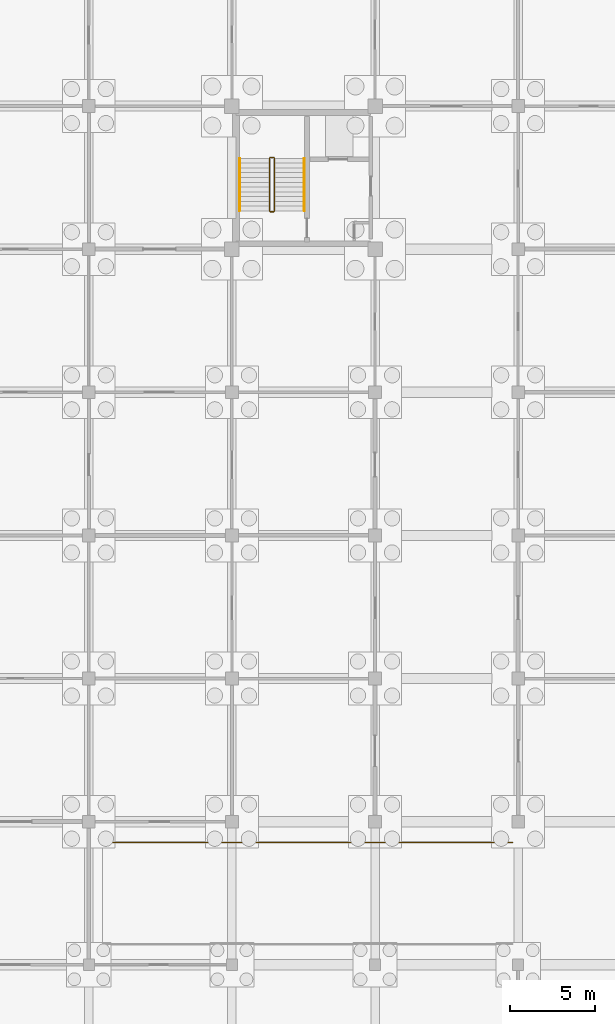
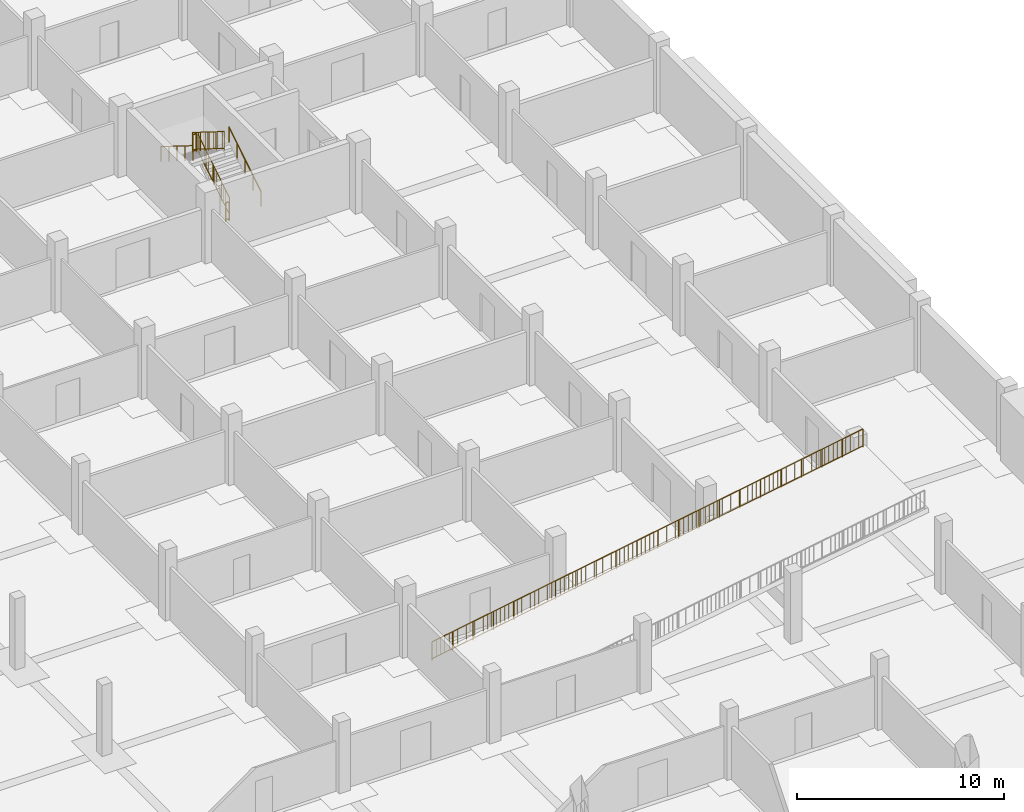
# One storey, part 42 of 43: 7 railings.
"""IFC4 building model written with IfcOpenShell, lengths in metres."""

from ifc_helpers import new_model, si_unit, direction, frame, origin, origin_2d, place, context, subcontext, project, spatial, circle, extrude, material, type_object, element, save


model = new_model("IFC4")

# Units and contexts
model_context = context("Model", 3, precision=1e-05, world=origin(), true_north=direction((0.0, 1.0)))
body_context = subcontext(model_context, "Body", "Model", "MODEL_VIEW")
ifc_project = project(units=[si_unit("LENGTHUNIT", "METRE"), si_unit("AREAUNIT", "SQUARE_METRE"), si_unit("VOLUMEUNIT", "CUBIC_METRE"), si_unit("PLANEANGLEUNIT", "RADIAN"), si_unit("MASSUNIT", "GRAM", prefix="KILO")], contexts=[model_context])

# Site, building, storey
site_placement = place(None, origin())
site = spatial("IfcSite", under=ifc_project, at=site_placement, CompositionType="ELEMENT")
building_placement = place(site_placement, origin())
building = spatial("IfcBuilding", under=site, at=building_placement, Name="Varnapada Polytechnic", CompositionType="ELEMENT")
storey_placement = place(building_placement, frame((0.0, 0.0, -4.199951171875)))
storey = spatial("IfcBuildingStorey", under=building, at=storey_placement, Name="B1", CompositionType="ELEMENT", Elevation=-4.199951171875)

# Railings
ifc_material_1 = material(Name="Brushed Stainless Steel 316", Category="steel")
railing_type_1 = type_object("IfcRailingType", Name="Stair Wall Handrail SHR-01", PredefinedType="HANDRAIL", material=ifc_material_1)
railing_1_placement = place(storey_placement, frame((155.449951171875, 94.64990234375, 0.175048828125)))
element("IfcRailing", 1, at=railing_1_placement, inside=storey, type_object=railing_type_1, Name="B1 ST-5 stair handrail 1", PredefinedType="HANDRAIL", context=body_context, shape_type="SweptSolid", body=[
    extrude(circle(Radius=0.02392578125, at=origin_2d()), frame((0.0, 0.0, 0.8759765625), z_axis=(0.0, 0.848028513186, 0.529950602248), x_axis=(-1.0, 0.0, 0.0)), (0.0, 0.0, 1.0), 3.632080078125),
    extrude(circle(Radius=0.02099609375, at=origin_2d()), origin(), (0.0, 0.0, 1.0), 0.851806640625),
    extrude(circle(Radius=0.02099609375, at=origin_2d()), frame((0.0, 0.77001953125, 0.481201171875)), (0.0, 0.0, 1.0), 0.851806640625),
    extrude(circle(Radius=0.02099609375, at=origin_2d()), frame((0.0, 1.5400390625, 0.96240234375)), (0.0, 0.0, 1.0), 0.851806640625),
    extrude(circle(Radius=0.02099609375, at=origin_2d()), frame((0.0, 2.31005859375, 1.443603515625)), (0.0, 0.0, 1.0), 0.851806640625),
    extrude(circle(Radius=0.02099609375, at=origin_2d()), frame((0.0, 3.080078125, 1.9248046875)), (0.0, 0.0, 1.0), 0.851806640625),
])
railing_2_placement = place(storey_placement, frame((151.64990234375, 97.72998046875, 2.27490234375)))
element("IfcRailing", 2, at=railing_2_placement, inside=storey, type_object=railing_type_1, Name="B1 ST-5 stair handrail 2", PredefinedType="HANDRAIL", context=body_context, shape_type="SweptSolid", body=[
    extrude(circle(Radius=0.02392578125, at=origin_2d()), frame((0.0, 0.0, 0.8759765625), z_axis=(0.0, -0.847998304005, 0.529998940003), x_axis=(1.0, 0.0, 0.0)), (0.0, 0.0, 1.0), 3.632080078125),
    extrude(circle(Radius=0.02099609375, at=origin_2d()), origin(), (0.0, 0.0, 1.0), 0.851806640625),
    extrude(circle(Radius=0.02099609375, at=origin_2d()), frame((0.0, -0.77001953125, 0.481201171875)), (0.0, 0.0, 1.0), 0.851806640625),
    extrude(circle(Radius=0.02099609375, at=origin_2d()), frame((0.0, -1.5400390625, 0.96240234375)), (0.0, 0.0, 1.0), 0.851806640625),
    extrude(circle(Radius=0.02099609375, at=origin_2d()), frame((0.0, -2.31005859375, 1.44384765625)), (0.0, 0.0, 1.0), 0.851806640625),
    extrude(circle(Radius=0.02099609375, at=origin_2d()), frame((0.0, -3.080078125, 1.925048828125)), (0.0, 0.0, 1.0), 0.851806640625),
])
railing_type_2 = type_object("IfcRailingType", Name="Stair Well Guard Rail SGR-01", PredefinedType="BALUSTRADE", material=ifc_material_1)
railing_3_placement = place(storey_placement, frame((153.699951171875, 94.64990234375, 0.175048828125)))
element("IfcRailing", 3, at=railing_3_placement, inside=storey, type_object=railing_type_2, Name="B1 ST-5 stair guard 1", PredefinedType="BALUSTRADE", context=body_context, shape_type="SweptSolid", body=[
    extrude(circle(Radius=0.02392578125, at=origin_2d()), frame((0.0, 0.0, 1.09619140625), z_axis=(0.0, 0.848028513186, 0.529950602248), x_axis=(-1.0, 0.0, 0.0)), (0.0, 0.0, 1.0), 3.632080078125),
    extrude(circle(Radius=0.02392578125, at=origin_2d()), frame((0.0, 0.0, 0.10009765625), z_axis=(0.0, 0.848028513186, 0.529950602248), x_axis=(-1.0, 0.0, 0.0)), (0.0, 0.0, 1.0), 3.632080078125),
    extrude(circle(Radius=0.02099609375, at=origin_2d()), origin(), (0.0, 0.0, 1.0), 1.072021484375),
    extrude(circle(Radius=0.02099609375, at=origin_2d()), frame((0.0, 0.77001953125, 0.481201171875)), (0.0, 0.0, 1.0), 1.072021484375),
    extrude(circle(Radius=0.02099609375, at=origin_2d()), frame((0.0, 1.5400390625, 0.96240234375)), (0.0, 0.0, 1.0), 1.072021484375),
    extrude(circle(Radius=0.02099609375, at=origin_2d()), frame((0.0, 2.31005859375, 1.443603515625)), (0.0, 0.0, 1.0), 1.072021484375),
    extrude(circle(Radius=0.02099609375, at=origin_2d()), frame((0.0, 3.080078125, 1.9248046875)), (0.0, 0.0, 1.0), 1.072021484375),
    extrude(circle(Radius=0.010009765625, at=origin_2d()), frame((0.0, 0.205322265625, 0.228515625)), (0.0, 0.0, 1.0), 0.971923828125),
    extrude(circle(Radius=0.010009765625, at=origin_2d()), frame((0.0, 0.41064453125, 0.356689453125)), (0.0, 0.0, 1.0), 0.971923828125),
    extrude(circle(Radius=0.010009765625, at=origin_2d()), frame((0.0, 0.615966796875, 0.485107421875)), (0.0, 0.0, 1.0), 0.971923828125),
    extrude(circle(Radius=0.010009765625, at=origin_2d()), frame((0.0, 0.8212890625, 0.61328125)), (0.0, 0.0, 1.0), 0.971923828125),
    extrude(circle(Radius=0.010009765625, at=origin_2d()), frame((0.0, 1.026611328125, 0.74169921875)), (0.0, 0.0, 1.0), 0.971923828125),
    extrude(circle(Radius=0.010009765625, at=origin_2d()), frame((0.0, 1.23193359375, 0.8701171875)), (0.0, 0.0, 1.0), 0.971923828125),
    extrude(circle(Radius=0.010009765625, at=origin_2d()), frame((0.0, 1.437255859375, 0.998291015625)), (0.0, 0.0, 1.0), 0.971923828125),
    extrude(circle(Radius=0.010009765625, at=origin_2d()), frame((0.0, 1.642822265625, 1.126708984375)), (0.0, 0.0, 1.0), 0.971923828125),
    extrude(circle(Radius=0.010009765625, at=origin_2d()), frame((0.0, 1.84814453125, 1.2548828125)), (0.0, 0.0, 1.0), 0.971923828125),
    extrude(circle(Radius=0.010009765625, at=origin_2d()), frame((0.0, 2.053466796875, 1.38330078125)), (0.0, 0.0, 1.0), 0.971923828125),
    extrude(circle(Radius=0.010009765625, at=origin_2d()), frame((0.0, 2.2587890625, 1.51171875)), (0.0, 0.0, 1.0), 0.971923828125),
    extrude(circle(Radius=0.010009765625, at=origin_2d()), frame((0.0, 2.464111328125, 1.639892578125)), (0.0, 0.0, 1.0), 0.971923828125),
    extrude(circle(Radius=0.010009765625, at=origin_2d()), frame((0.0, 2.66943359375, 1.768310546875)), (0.0, 0.0, 1.0), 0.971923828125),
    extrude(circle(Radius=0.010009765625, at=origin_2d()), frame((0.0, 2.874755859375, 1.896484375)), (0.0, 0.0, 1.0), 0.971923828125),
])
railing_4_placement = place(storey_placement, frame((153.64990234375, 97.780029296875, 2.099853515625)))
element("IfcRailing", 4, at=railing_4_placement, inside=storey, type_object=railing_type_2, Name="B1 ST-5 stair guard 2", PredefinedType="BALUSTRADE", context=body_context, shape_type="SweptSolid", body=[
    extrude(circle(Radius=0.02392578125, at=origin_2d()), frame((0.0, 0.0, 1.09619140625), z_axis=(-1.0, 0.0, 0.0), x_axis=(0.0, -1.0, 0.0)), (0.0, 0.0, 1.0), 0.199951171875),
    extrude(circle(Radius=0.02392578125, at=origin_2d()), frame((0.0, 0.0, 0.10009765625), z_axis=(-1.0, 0.0, 0.0), x_axis=(0.0, -1.0, 0.0)), (0.0, 0.0, 1.0), 0.199951171875),
    extrude(circle(Radius=0.02099609375, at=origin_2d()), origin(), (0.0, 0.0, 1.0), 1.072021484375),
    extrude(circle(Radius=0.02099609375, at=origin_2d()), frame((-0.199951171875, 0.0, 0.0)), (0.0, 0.0, 1.0), 1.072021484375),
])
railing_5_placement = place(storey_placement, frame((153.39990234375, 97.72998046875, 2.27490234375)))
element("IfcRailing", 5, at=railing_5_placement, inside=storey, type_object=railing_type_2, Name="B1 ST-5 stair guard 3", PredefinedType="BALUSTRADE", context=body_context, shape_type="SweptSolid", body=[
    extrude(circle(Radius=0.02392578125, at=origin_2d()), frame((0.0, 0.0, 1.09619140625), z_axis=(0.0, -0.847998304005, 0.529998940003), x_axis=(1.0, 0.0, 0.0)), (0.0, 0.0, 1.0), 3.632080078125),
    extrude(circle(Radius=0.02392578125, at=origin_2d()), frame((0.0, 0.0, 0.10009765625), z_axis=(0.0, -0.847998304005, 0.529998940003), x_axis=(1.0, 0.0, 0.0)), (0.0, 0.0, 1.0), 3.632080078125),
    extrude(circle(Radius=0.02099609375, at=origin_2d()), origin(), (0.0, 0.0, 1.0), 1.072021484375),
    extrude(circle(Radius=0.02099609375, at=origin_2d()), frame((0.0, -0.77001953125, 0.481201171875)), (0.0, 0.0, 1.0), 1.072021484375),
    extrude(circle(Radius=0.02099609375, at=origin_2d()), frame((0.0, -1.5400390625, 0.96240234375)), (0.0, 0.0, 1.0), 1.072021484375),
    extrude(circle(Radius=0.02099609375, at=origin_2d()), frame((0.0, -2.31005859375, 1.44384765625)), (0.0, 0.0, 1.0), 1.072021484375),
    extrude(circle(Radius=0.02099609375, at=origin_2d()), frame((0.0, -3.080078125, 1.925048828125)), (0.0, 0.0, 1.0), 1.072021484375),
    extrude(circle(Radius=0.010009765625, at=origin_2d()), frame((0.0, -0.205322265625, 0.228515625)), (0.0, 0.0, 1.0), 0.971923828125),
    extrude(circle(Radius=0.010009765625, at=origin_2d()), frame((0.0, -0.41064453125, 0.356689453125)), (0.0, 0.0, 1.0), 0.971923828125),
    extrude(circle(Radius=0.010009765625, at=origin_2d()), frame((0.0, -0.615966796875, 0.485107421875)), (0.0, 0.0, 1.0), 0.971923828125),
    extrude(circle(Radius=0.010009765625, at=origin_2d()), frame((0.0, -0.8212890625, 0.613525390625)), (0.0, 0.0, 1.0), 0.971923828125),
    extrude(circle(Radius=0.010009765625, at=origin_2d()), frame((0.0, -1.026611328125, 0.74169921875)), (0.0, 0.0, 1.0), 0.971923828125),
    extrude(circle(Radius=0.010009765625, at=origin_2d()), frame((0.0, -1.23193359375, 0.8701171875)), (0.0, 0.0, 1.0), 0.971923828125),
    extrude(circle(Radius=0.010009765625, at=origin_2d()), frame((0.0, -1.437255859375, 0.99853515625)), (0.0, 0.0, 1.0), 0.971923828125),
    extrude(circle(Radius=0.010009765625, at=origin_2d()), frame((0.0, -1.642822265625, 1.126708984375)), (0.0, 0.0, 1.0), 0.971923828125),
    extrude(circle(Radius=0.010009765625, at=origin_2d()), frame((0.0, -1.84814453125, 1.255126953125)), (0.0, 0.0, 1.0), 0.971923828125),
    extrude(circle(Radius=0.010009765625, at=origin_2d()), frame((0.0, -2.053466796875, 1.383544921875)), (0.0, 0.0, 1.0), 0.971923828125),
    extrude(circle(Radius=0.010009765625, at=origin_2d()), frame((0.0, -2.2587890625, 1.51171875)), (0.0, 0.0, 1.0), 0.971923828125),
    extrude(circle(Radius=0.010009765625, at=origin_2d()), frame((0.0, -2.464111328125, 1.64013671875)), (0.0, 0.0, 1.0), 0.971923828125),
    extrude(circle(Radius=0.010009765625, at=origin_2d()), frame((0.0, -2.66943359375, 1.7685546875)), (0.0, 0.0, 1.0), 0.971923828125),
    extrude(circle(Radius=0.010009765625, at=origin_2d()), frame((0.0, -2.874755859375, 1.896728515625)), (0.0, 0.0, 1.0), 0.971923828125),
])
railing_6_placement = place(storey_placement, frame((153.64990234375, 94.60009765625, 0.0)))
element("IfcRailing", 6, at=railing_6_placement, inside=storey, type_object=railing_type_2, Name="B1 ST-5 stair guard 4", PredefinedType="BALUSTRADE", context=body_context, shape_type="SweptSolid", body=[
    extrude(circle(Radius=0.02392578125, at=origin_2d()), frame((0.0, 0.0, 1.09619140625), z_axis=(-1.0, 0.0, 0.0), x_axis=(0.0, -1.0, 0.0)), (0.0, 0.0, 1.0), 0.199951171875),
    extrude(circle(Radius=0.02392578125, at=origin_2d()), frame((0.0, 0.0, 0.10009765625), z_axis=(-1.0, 0.0, 0.0), x_axis=(0.0, -1.0, 0.0)), (0.0, 0.0, 1.0), 0.199951171875),
    extrude(circle(Radius=0.02099609375, at=origin_2d()), origin(), (0.0, 0.0, 1.0), 1.072021484375),
    extrude(circle(Radius=0.02099609375, at=origin_2d()), frame((-0.199951171875, 0.0, 0.0)), (0.0, 0.0, 1.0), 1.072021484375),
])
ifc_material_2 = material(Name="Painted galvanized steel", Category="steel")
railing_type_3 = type_object("IfcRailingType", Name="Terrace Guard Rail GRD-01", PredefinedType="BALUSTRADE", material=ifc_material_2)
railing_7_placement = place(storey_placement, frame((143.60009765625, 57.580078125, 0.0)))
element("IfcRailing", 7, at=railing_7_placement, inside=storey, type_object=railing_type_3, Name="Basement vehicle ramp side guard N", PredefinedType="BALUSTRADE", context=body_context, shape_type="SweptSolid", body=[
    extrude(circle(Radius=0.02392578125, at=origin_2d()), frame((0.0, 0.0, 1.09619140625), z_axis=(0.985505538901, 0.0, 0.169643251545), x_axis=(0.0, 1.0, 0.0)), (0.0, 0.0, 1.0), 24.403564453125),
    extrude(circle(Radius=0.02392578125, at=origin_2d()), frame((0.0, 0.0, 0.10009765625), z_axis=(0.985505538901, 0.0, 0.169643251545), x_axis=(0.0, 1.0, 0.0)), (0.0, 0.0, 1.0), 24.403564453125),
    extrude(circle(Radius=0.02099609375, at=origin_2d()), origin(), (0.0, 0.0, 1.0), 1.072021484375),
    extrude(circle(Radius=0.02099609375, at=origin_2d()), frame((1.145263671875, 0.0, 0.197021484375)), (0.0, 0.0, 1.0), 1.072021484375),
    extrude(circle(Radius=0.02099609375, at=origin_2d()), frame((2.29052734375, 0.0, 0.394287109375)), (0.0, 0.0, 1.0), 1.072021484375),
    extrude(circle(Radius=0.02099609375, at=origin_2d()), frame((3.435791015625, 0.0, 0.59130859375)), (0.0, 0.0, 1.0), 1.072021484375),
    extrude(circle(Radius=0.02099609375, at=origin_2d()), frame((4.580810546875, 0.0, 0.78857421875)), (0.0, 0.0, 1.0), 1.072021484375),
    extrude(circle(Radius=0.02099609375, at=origin_2d()), frame((5.72607421875, 0.0, 0.985595703125)), (0.0, 0.0, 1.0), 1.072021484375),
    extrude(circle(Radius=0.02099609375, at=origin_2d()), frame((6.871337890625, 0.0, 1.182861328125)), (0.0, 0.0, 1.0), 1.072021484375),
    extrude(circle(Radius=0.02099609375, at=origin_2d()), frame((8.0166015625, 0.0, 1.3798828125)), (0.0, 0.0, 1.0), 1.072021484375),
    extrude(circle(Radius=0.02099609375, at=origin_2d()), frame((9.161865234375, 0.0, 1.5771484375)), (0.0, 0.0, 1.0), 1.072021484375),
    extrude(circle(Radius=0.02099609375, at=origin_2d()), frame((10.30712890625, 0.0, 1.774169921875)), (0.0, 0.0, 1.0), 1.072021484375),
    extrude(circle(Radius=0.02099609375, at=origin_2d()), frame((11.452392578125, 0.0, 1.971435546875)), (0.0, 0.0, 1.0), 1.072021484375),
    extrude(circle(Radius=0.02099609375, at=origin_2d()), frame((12.597412109375, 0.0, 2.16845703125)), (0.0, 0.0, 1.0), 1.072021484375),
    extrude(circle(Radius=0.02099609375, at=origin_2d()), frame((13.74267578125, 0.0, 2.36572265625)), (0.0, 0.0, 1.0), 1.072021484375),
    extrude(circle(Radius=0.02099609375, at=origin_2d()), frame((14.887939453125, 0.0, 2.562744140625)), (0.0, 0.0, 1.0), 1.072021484375),
    extrude(circle(Radius=0.02099609375, at=origin_2d()), frame((16.033203125, 0.0, 2.760009765625)), (0.0, 0.0, 1.0), 1.072021484375),
    extrude(circle(Radius=0.02099609375, at=origin_2d()), frame((17.178466796875, 0.0, 2.95703125)), (0.0, 0.0, 1.0), 1.072021484375),
    extrude(circle(Radius=0.02099609375, at=origin_2d()), frame((18.32373046875, 0.0, 3.154296875)), (0.0, 0.0, 1.0), 1.072021484375),
    extrude(circle(Radius=0.02099609375, at=origin_2d()), frame((19.468994140625, 0.0, 3.351318359375)), (0.0, 0.0, 1.0), 1.072021484375),
    extrude(circle(Radius=0.02099609375, at=origin_2d()), frame((20.614013671875, 0.0, 3.548583984375)), (0.0, 0.0, 1.0), 1.072021484375),
    extrude(circle(Radius=0.02099609375, at=origin_2d()), frame((21.75927734375, 0.0, 3.74560546875)), (0.0, 0.0, 1.0), 1.072021484375),
    extrude(circle(Radius=0.02099609375, at=origin_2d()), frame((22.904541015625, 0.0, 3.94287109375)), (0.0, 0.0, 1.0), 1.072021484375),
    extrude(circle(Radius=0.02099609375, at=origin_2d()), frame((24.0498046875, 0.0, 4.139892578125)), (0.0, 0.0, 1.0), 1.072021484375),
    extrude(circle(Radius=0.010009765625, at=origin_2d()), frame((0.238037109375, 0.0, 0.14111328125)), (0.0, 0.0, 1.0), 0.971923828125),
    extrude(circle(Radius=0.010009765625, at=origin_2d()), frame((0.476318359375, 0.0, 0.18212890625)), (0.0, 0.0, 1.0), 0.971923828125),
    extrude(circle(Radius=0.010009765625, at=origin_2d()), frame((0.71435546875, 0.0, 0.22314453125)), (0.0, 0.0, 1.0), 0.971923828125),
    extrude(circle(Radius=0.010009765625, at=origin_2d()), frame((0.952392578125, 0.0, 0.26416015625)), (0.0, 0.0, 1.0), 0.971923828125),
    extrude(circle(Radius=0.010009765625, at=origin_2d()), frame((1.190673828125, 0.0, 0.304931640625)), (0.0, 0.0, 1.0), 0.971923828125),
    extrude(circle(Radius=0.010009765625, at=origin_2d()), frame((1.4287109375, 0.0, 0.345947265625)), (0.0, 0.0, 1.0), 0.971923828125),
    extrude(circle(Radius=0.010009765625, at=origin_2d()), frame((1.666748046875, 0.0, 0.386962890625)), (0.0, 0.0, 1.0), 0.971923828125),
    extrude(circle(Radius=0.010009765625, at=origin_2d()), frame((1.905029296875, 0.0, 0.427978515625)), (0.0, 0.0, 1.0), 0.971923828125),
    extrude(circle(Radius=0.010009765625, at=origin_2d()), frame((2.14306640625, 0.0, 0.468994140625)), (0.0, 0.0, 1.0), 0.971923828125),
    extrude(circle(Radius=0.010009765625, at=origin_2d()), frame((2.381103515625, 0.0, 0.510009765625)), (0.0, 0.0, 1.0), 0.971923828125),
    extrude(circle(Radius=0.010009765625, at=origin_2d()), frame((2.619384765625, 0.0, 0.551025390625)), (0.0, 0.0, 1.0), 0.971923828125),
    extrude(circle(Radius=0.010009765625, at=origin_2d()), frame((2.857421875, 0.0, 0.592041015625)), (0.0, 0.0, 1.0), 0.971923828125),
    extrude(circle(Radius=0.010009765625, at=origin_2d()), frame((3.095458984375, 0.0, 0.633056640625)), (0.0, 0.0, 1.0), 0.971923828125),
    extrude(circle(Radius=0.010009765625, at=origin_2d()), frame((3.333740234375, 0.0, 0.673828125)), (0.0, 0.0, 1.0), 0.971923828125),
    extrude(circle(Radius=0.010009765625, at=origin_2d()), frame((3.57177734375, 0.0, 0.71484375)), (0.0, 0.0, 1.0), 0.971923828125),
    extrude(circle(Radius=0.010009765625, at=origin_2d()), frame((3.809814453125, 0.0, 0.755859375)), (0.0, 0.0, 1.0), 0.971923828125),
    extrude(circle(Radius=0.010009765625, at=origin_2d()), frame((4.048095703125, 0.0, 0.796875)), (0.0, 0.0, 1.0), 0.971923828125),
    extrude(circle(Radius=0.010009765625, at=origin_2d()), frame((4.2861328125, 0.0, 0.837890625)), (0.0, 0.0, 1.0), 0.971923828125),
    extrude(circle(Radius=0.010009765625, at=origin_2d()), frame((4.524169921875, 0.0, 0.87890625)), (0.0, 0.0, 1.0), 0.971923828125),
    extrude(circle(Radius=0.010009765625, at=origin_2d()), frame((4.762451171875, 0.0, 0.919921875)), (0.0, 0.0, 1.0), 0.971923828125),
    extrude(circle(Radius=0.010009765625, at=origin_2d()), frame((5.00048828125, 0.0, 0.9609375)), (0.0, 0.0, 1.0), 0.971923828125),
    extrude(circle(Radius=0.010009765625, at=origin_2d()), frame((5.238525390625, 0.0, 1.001953125)), (0.0, 0.0, 1.0), 0.971923828125),
    extrude(circle(Radius=0.010009765625, at=origin_2d()), frame((5.476806640625, 0.0, 1.042724609375)), (0.0, 0.0, 1.0), 0.971923828125),
    extrude(circle(Radius=0.010009765625, at=origin_2d()), frame((5.71484375, 0.0, 1.083740234375)), (0.0, 0.0, 1.0), 0.971923828125),
    extrude(circle(Radius=0.010009765625, at=origin_2d()), frame((5.952880859375, 0.0, 1.124755859375)), (0.0, 0.0, 1.0), 0.971923828125),
    extrude(circle(Radius=0.010009765625, at=origin_2d()), frame((6.19091796875, 0.0, 1.165771484375)), (0.0, 0.0, 1.0), 0.971923828125),
    extrude(circle(Radius=0.010009765625, at=origin_2d()), frame((6.42919921875, 0.0, 1.206787109375)), (0.0, 0.0, 1.0), 0.971923828125),
    extrude(circle(Radius=0.010009765625, at=origin_2d()), frame((6.667236328125, 0.0, 1.247802734375)), (0.0, 0.0, 1.0), 0.971923828125),
    extrude(circle(Radius=0.010009765625, at=origin_2d()), frame((6.9052734375, 0.0, 1.288818359375)), (0.0, 0.0, 1.0), 0.971923828125),
    extrude(circle(Radius=0.010009765625, at=origin_2d()), frame((7.1435546875, 0.0, 1.329833984375)), (0.0, 0.0, 1.0), 0.971923828125),
    extrude(circle(Radius=0.010009765625, at=origin_2d()), frame((7.381591796875, 0.0, 1.370849609375)), (0.0, 0.0, 1.0), 0.971923828125),
    extrude(circle(Radius=0.010009765625, at=origin_2d()), frame((7.61962890625, 0.0, 1.411865234375)), (0.0, 0.0, 1.0), 0.971923828125),
    extrude(circle(Radius=0.010009765625, at=origin_2d()), frame((7.85791015625, 0.0, 1.45263671875)), (0.0, 0.0, 1.0), 0.971923828125),
    extrude(circle(Radius=0.010009765625, at=origin_2d()), frame((8.095947265625, 0.0, 1.49365234375)), (0.0, 0.0, 1.0), 0.971923828125),
    extrude(circle(Radius=0.010009765625, at=origin_2d()), frame((8.333984375, 0.0, 1.53466796875)), (0.0, 0.0, 1.0), 0.971923828125),
    extrude(circle(Radius=0.010009765625, at=origin_2d()), frame((8.572265625, 0.0, 1.57568359375)), (0.0, 0.0, 1.0), 0.971923828125),
    extrude(circle(Radius=0.010009765625, at=origin_2d()), frame((8.810302734375, 0.0, 1.61669921875)), (0.0, 0.0, 1.0), 0.971923828125),
    extrude(circle(Radius=0.010009765625, at=origin_2d()), frame((9.04833984375, 0.0, 1.65771484375)), (0.0, 0.0, 1.0), 0.971923828125),
    extrude(circle(Radius=0.010009765625, at=origin_2d()), frame((9.28662109375, 0.0, 1.69873046875)), (0.0, 0.0, 1.0), 0.971923828125),
    extrude(circle(Radius=0.010009765625, at=origin_2d()), frame((9.524658203125, 0.0, 1.73974609375)), (0.0, 0.0, 1.0), 0.971923828125),
    extrude(circle(Radius=0.010009765625, at=origin_2d()), frame((9.7626953125, 0.0, 1.78076171875)), (0.0, 0.0, 1.0), 0.971923828125),
    extrude(circle(Radius=0.010009765625, at=origin_2d()), frame((10.0009765625, 0.0, 1.821533203125)), (0.0, 0.0, 1.0), 0.971923828125),
    extrude(circle(Radius=0.010009765625, at=origin_2d()), frame((10.239013671875, 0.0, 1.862548828125)), (0.0, 0.0, 1.0), 0.971923828125),
    extrude(circle(Radius=0.010009765625, at=origin_2d()), frame((10.47705078125, 0.0, 1.903564453125)), (0.0, 0.0, 1.0), 0.971923828125),
    extrude(circle(Radius=0.010009765625, at=origin_2d()), frame((10.71533203125, 0.0, 1.944580078125)), (0.0, 0.0, 1.0), 0.971923828125),
    extrude(circle(Radius=0.010009765625, at=origin_2d()), frame((10.953369140625, 0.0, 1.985595703125)), (0.0, 0.0, 1.0), 0.971923828125),
    extrude(circle(Radius=0.010009765625, at=origin_2d()), frame((11.19140625, 0.0, 2.026611328125)), (0.0, 0.0, 1.0), 0.971923828125),
    extrude(circle(Radius=0.010009765625, at=origin_2d()), frame((11.4296875, 0.0, 2.067626953125)), (0.0, 0.0, 1.0), 0.971923828125),
    extrude(circle(Radius=0.010009765625, at=origin_2d()), frame((11.667724609375, 0.0, 2.108642578125)), (0.0, 0.0, 1.0), 0.971923828125),
    extrude(circle(Radius=0.010009765625, at=origin_2d()), frame((11.90576171875, 0.0, 2.149658203125)), (0.0, 0.0, 1.0), 0.971923828125),
    extrude(circle(Radius=0.010009765625, at=origin_2d()), frame((12.14404296875, 0.0, 2.1904296875)), (0.0, 0.0, 1.0), 0.971923828125),
    extrude(circle(Radius=0.010009765625, at=origin_2d()), frame((12.382080078125, 0.0, 2.2314453125)), (0.0, 0.0, 1.0), 0.971923828125),
    extrude(circle(Radius=0.010009765625, at=origin_2d()), frame((12.6201171875, 0.0, 2.2724609375)), (0.0, 0.0, 1.0), 0.971923828125),
    extrude(circle(Radius=0.010009765625, at=origin_2d()), frame((12.8583984375, 0.0, 2.3134765625)), (0.0, 0.0, 1.0), 0.971923828125),
    extrude(circle(Radius=0.010009765625, at=origin_2d()), frame((13.096435546875, 0.0, 2.3544921875)), (0.0, 0.0, 1.0), 0.971923828125),
    extrude(circle(Radius=0.010009765625, at=origin_2d()), frame((13.33447265625, 0.0, 2.3955078125)), (0.0, 0.0, 1.0), 0.971923828125),
    extrude(circle(Radius=0.010009765625, at=origin_2d()), frame((13.57275390625, 0.0, 2.4365234375)), (0.0, 0.0, 1.0), 0.971923828125),
    extrude(circle(Radius=0.010009765625, at=origin_2d()), frame((13.810791015625, 0.0, 2.4775390625)), (0.0, 0.0, 1.0), 0.971923828125),
    extrude(circle(Radius=0.010009765625, at=origin_2d()), frame((14.048828125, 0.0, 2.5185546875)), (0.0, 0.0, 1.0), 0.971923828125),
    extrude(circle(Radius=0.010009765625, at=origin_2d()), frame((14.287109375, 0.0, 2.559326171875)), (0.0, 0.0, 1.0), 0.971923828125),
    extrude(circle(Radius=0.010009765625, at=origin_2d()), frame((14.525146484375, 0.0, 2.600341796875)), (0.0, 0.0, 1.0), 0.971923828125),
    extrude(circle(Radius=0.010009765625, at=origin_2d()), frame((14.76318359375, 0.0, 2.641357421875)), (0.0, 0.0, 1.0), 0.971923828125),
    extrude(circle(Radius=0.010009765625, at=origin_2d()), frame((15.00146484375, 0.0, 2.682373046875)), (0.0, 0.0, 1.0), 0.971923828125),
    extrude(circle(Radius=0.010009765625, at=origin_2d()), frame((15.239501953125, 0.0, 2.723388671875)), (0.0, 0.0, 1.0), 0.971923828125),
    extrude(circle(Radius=0.010009765625, at=origin_2d()), frame((15.4775390625, 0.0, 2.764404296875)), (0.0, 0.0, 1.0), 0.971923828125),
    extrude(circle(Radius=0.010009765625, at=origin_2d()), frame((15.7158203125, 0.0, 2.805419921875)), (0.0, 0.0, 1.0), 0.971923828125),
    extrude(circle(Radius=0.010009765625, at=origin_2d()), frame((15.953857421875, 0.0, 2.846435546875)), (0.0, 0.0, 1.0), 0.971923828125),
    extrude(circle(Radius=0.010009765625, at=origin_2d()), frame((16.19189453125, 0.0, 2.887451171875)), (0.0, 0.0, 1.0), 0.971923828125),
    extrude(circle(Radius=0.010009765625, at=origin_2d()), frame((16.43017578125, 0.0, 2.92822265625)), (0.0, 0.0, 1.0), 0.971923828125),
    extrude(circle(Radius=0.010009765625, at=origin_2d()), frame((16.668212890625, 0.0, 2.96923828125)), (0.0, 0.0, 1.0), 0.971923828125),
    extrude(circle(Radius=0.010009765625, at=origin_2d()), frame((16.90625, 0.0, 3.01025390625)), (0.0, 0.0, 1.0), 0.971923828125),
    extrude(circle(Radius=0.010009765625, at=origin_2d()), frame((17.14453125, 0.0, 3.05126953125)), (0.0, 0.0, 1.0), 0.971923828125),
    extrude(circle(Radius=0.010009765625, at=origin_2d()), frame((17.382568359375, 0.0, 3.09228515625)), (0.0, 0.0, 1.0), 0.971923828125),
    extrude(circle(Radius=0.010009765625, at=origin_2d()), frame((17.62060546875, 0.0, 3.13330078125)), (0.0, 0.0, 1.0), 0.971923828125),
    extrude(circle(Radius=0.010009765625, at=origin_2d()), frame((17.85888671875, 0.0, 3.17431640625)), (0.0, 0.0, 1.0), 0.971923828125),
    extrude(circle(Radius=0.010009765625, at=origin_2d()), frame((18.096923828125, 0.0, 3.21533203125)), (0.0, 0.0, 1.0), 0.971923828125),
    extrude(circle(Radius=0.010009765625, at=origin_2d()), frame((18.3349609375, 0.0, 3.25634765625)), (0.0, 0.0, 1.0), 0.971923828125),
    extrude(circle(Radius=0.010009765625, at=origin_2d()), frame((18.572998046875, 0.0, 3.29736328125)), (0.0, 0.0, 1.0), 0.971923828125),
    extrude(circle(Radius=0.010009765625, at=origin_2d()), frame((18.811279296875, 0.0, 3.338134765625)), (0.0, 0.0, 1.0), 0.971923828125),
    extrude(circle(Radius=0.010009765625, at=origin_2d()), frame((19.04931640625, 0.0, 3.379150390625)), (0.0, 0.0, 1.0), 0.971923828125),
    extrude(circle(Radius=0.010009765625, at=origin_2d()), frame((19.287353515625, 0.0, 3.420166015625)), (0.0, 0.0, 1.0), 0.971923828125),
    extrude(circle(Radius=0.010009765625, at=origin_2d()), frame((19.525634765625, 0.0, 3.461181640625)), (0.0, 0.0, 1.0), 0.971923828125),
    extrude(circle(Radius=0.010009765625, at=origin_2d()), frame((19.763671875, 0.0, 3.502197265625)), (0.0, 0.0, 1.0), 0.971923828125),
    extrude(circle(Radius=0.010009765625, at=origin_2d()), frame((20.001708984375, 0.0, 3.543212890625)), (0.0, 0.0, 1.0), 0.971923828125),
    extrude(circle(Radius=0.010009765625, at=origin_2d()), frame((20.239990234375, 0.0, 3.584228515625)), (0.0, 0.0, 1.0), 0.971923828125),
    extrude(circle(Radius=0.010009765625, at=origin_2d()), frame((20.47802734375, 0.0, 3.625244140625)), (0.0, 0.0, 1.0), 0.971923828125),
    extrude(circle(Radius=0.010009765625, at=origin_2d()), frame((20.716064453125, 0.0, 3.666259765625)), (0.0, 0.0, 1.0), 0.971923828125),
    extrude(circle(Radius=0.010009765625, at=origin_2d()), frame((20.954345703125, 0.0, 3.70703125)), (0.0, 0.0, 1.0), 0.971923828125),
    extrude(circle(Radius=0.010009765625, at=origin_2d()), frame((21.1923828125, 0.0, 3.748046875)), (0.0, 0.0, 1.0), 0.971923828125),
    extrude(circle(Radius=0.010009765625, at=origin_2d()), frame((21.430419921875, 0.0, 3.7890625)), (0.0, 0.0, 1.0), 0.971923828125),
    extrude(circle(Radius=0.010009765625, at=origin_2d()), frame((21.668701171875, 0.0, 3.830078125)), (0.0, 0.0, 1.0), 0.971923828125),
    extrude(circle(Radius=0.010009765625, at=origin_2d()), frame((21.90673828125, 0.0, 3.87109375)), (0.0, 0.0, 1.0), 0.971923828125),
    extrude(circle(Radius=0.010009765625, at=origin_2d()), frame((22.144775390625, 0.0, 3.912109375)), (0.0, 0.0, 1.0), 0.971923828125),
    extrude(circle(Radius=0.010009765625, at=origin_2d()), frame((22.383056640625, 0.0, 3.953125)), (0.0, 0.0, 1.0), 0.971923828125),
    extrude(circle(Radius=0.010009765625, at=origin_2d()), frame((22.62109375, 0.0, 3.994140625)), (0.0, 0.0, 1.0), 0.971923828125),
    extrude(circle(Radius=0.010009765625, at=origin_2d()), frame((22.859130859375, 0.0, 4.03515625)), (0.0, 0.0, 1.0), 0.971923828125),
    extrude(circle(Radius=0.010009765625, at=origin_2d()), frame((23.097412109375, 0.0, 4.075927734375)), (0.0, 0.0, 1.0), 0.971923828125),
    extrude(circle(Radius=0.010009765625, at=origin_2d()), frame((23.33544921875, 0.0, 4.116943359375)), (0.0, 0.0, 1.0), 0.971923828125),
    extrude(circle(Radius=0.010009765625, at=origin_2d()), frame((23.573486328125, 0.0, 4.157958984375)), (0.0, 0.0, 1.0), 0.971923828125),
    extrude(circle(Radius=0.010009765625, at=origin_2d()), frame((23.811767578125, 0.0, 4.198974609375)), (0.0, 0.0, 1.0), 0.971923828125),
])

save(model, "model.ifc")
